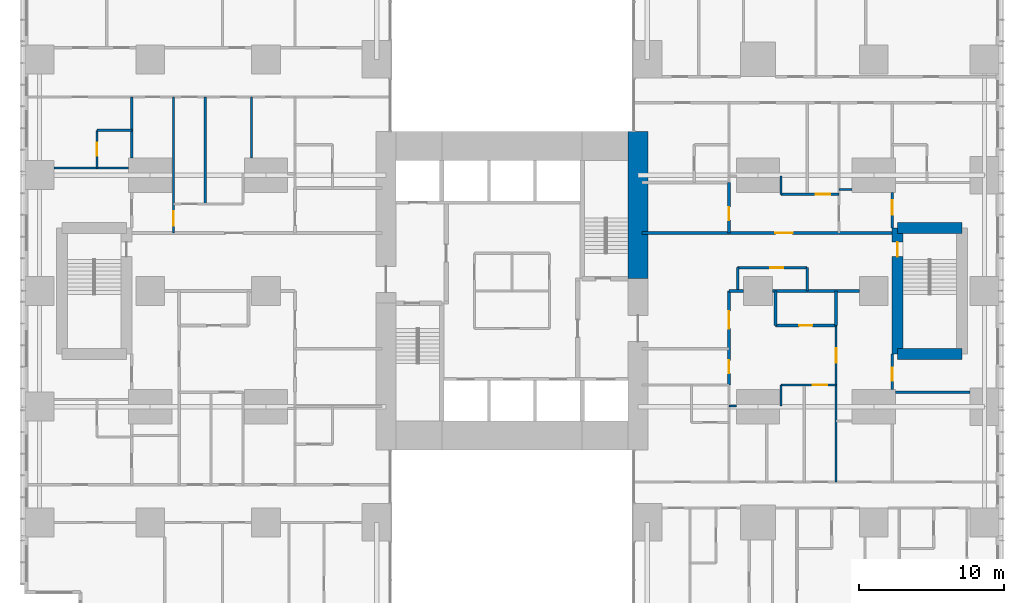
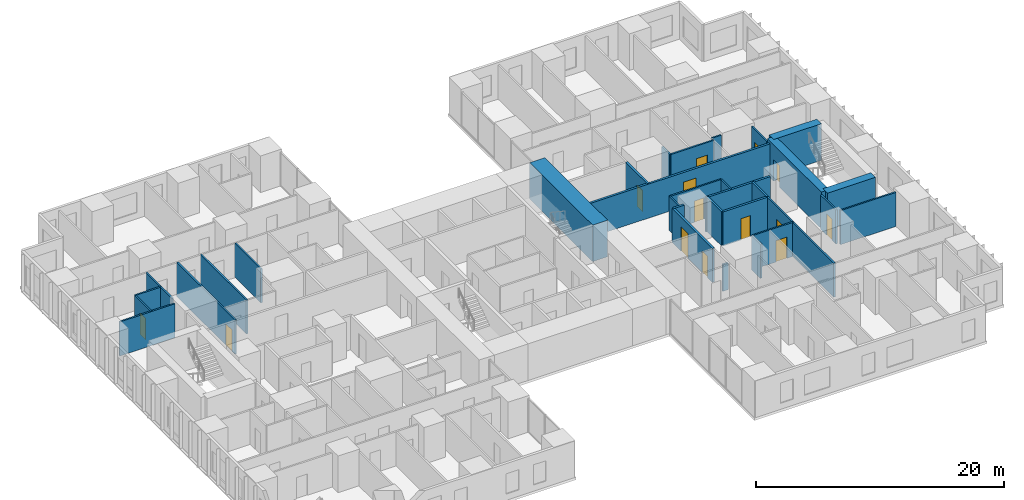
# One storey, part 16 of 20: 32 walls, 14 doors, 14 openings.
"""IFC4 building model written with IfcOpenShell, lengths in metres."""

import ifcopenshell
import ifcopenshell.guid

model = None  # the IFC model being written
_history = None  # IfcOwnerHistory: only IFC2X3 demands one
_inside = {}  # id of a spatial element -> (the spatial element, [elements in it])
_under = {}  # id of a project, library or spatial element -> (it, [spatial elements below it])
_declared = {}  # id of a project -> (the project, [libraries it declares])
_typed = {}  # id of a type object -> (the type object, [elements of that type])
_made_of = {}  # id of a material, layer set ... -> (it, [elements and type objects made of it])


def new_model(schema):
    """Start an empty IFC model of exactly this schema.

    Asked for "IFC4X3", IfcOpenShell would pick the latest addendum, in which some entities
    have other attributes; the version numbers below select the first issue.
    IFC2X3 requires an IfcOwnerHistory on every rooted entity: one is made here for all.
    """
    global model, _history
    if schema == "IFC4X3":
        model = ifcopenshell.file(schema_version=(4, 3, 0, 0))
    else:
        model = ifcopenshell.file(schema=schema)
    _inside.clear()
    _under.clear()
    _declared.clear()
    _typed.clear()
    _made_of.clear()
    _history = None
    if model.schema == "IFC2X3":
        org = make("IfcOrganization", Name="unknown")
        user = make(
            "IfcPersonAndOrganization",
            ThePerson=make("IfcPerson", FamilyName="unknown"),
            TheOrganization=org,
        )
        app = make(
            "IfcApplication",
            ApplicationDeveloper=org,
            Version="unknown",
            ApplicationFullName="unknown",
            ApplicationIdentifier="unknown",
        )
        _history = make(
            "IfcOwnerHistory",
            OwningUser=user,
            OwningApplication=app,
            ChangeAction="ADDED",
            CreationDate=0,
        )
    return model


def make(cls, **values):
    """One entity of the class cls with the attributes given. An attribute that is None is left unset."""
    return model.create_entity(
        cls, **{name: value for name, value in values.items() if value is not None}
    )


def rooted(cls, **values):
    """An entity with a GlobalId (a new one), such as an element, a storey or a relation."""
    return make(cls, GlobalId=ifcopenshell.guid.new(), OwnerHistory=_history, **values)


def si_unit(unit_type, name, prefix=None):
    """IfcSIUnit, for example si_unit("LENGTHUNIT", "METRE", prefix="MILLI")."""
    return make("IfcSIUnit", UnitType=unit_type, Prefix=prefix, Name=name)


def assignment(units):
    """IfcUnitAssignment: the units of a project."""
    return None if units is None else make("IfcUnitAssignment", Units=units)


def point(xyz):
    """IfcCartesianPoint."""
    return None if xyz is None else make("IfcCartesianPoint", Coordinates=xyz)


def direction(xyz):
    """IfcDirection."""
    return None if xyz is None else make("IfcDirection", DirectionRatios=xyz)


def frame(location, z_axis=None, x_axis=None):
    """IfcAxis2Placement3D, a coordinate frame: its origin and axes. An axis left out is left unset."""
    return make(
        "IfcAxis2Placement3D",
        Location=point(location),
        Axis=direction(z_axis),
        RefDirection=direction(x_axis),
    )


def frame_2d(location, x_axis=None):
    """IfcAxis2Placement2D, a coordinate frame in the plane: its origin and x axis."""
    return make(
        "IfcAxis2Placement2D", Location=point(location), RefDirection=direction(x_axis)
    )


def origin():
    """The frame at (0, 0, 0) with its axes left unset."""
    return frame((0.0, 0.0, 0.0))


def place(relative_to, where):
    """IfcLocalPlacement: puts the frame where relative to a parent placement (None: the world)."""
    return make(
        "IfcLocalPlacement", PlacementRelTo=relative_to, RelativePlacement=where
    )


def context(
    kind, dimensions, precision=None, world=None, true_north=None, identifier=None
):
    """IfcGeometricRepresentationContext, for example the 3D "Model" context."""
    return make(
        "IfcGeometricRepresentationContext",
        ContextIdentifier=identifier,
        ContextType=kind,
        CoordinateSpaceDimension=dimensions,
        Precision=precision,
        WorldCoordinateSystem=world,
        TrueNorth=true_north,
    )


def subcontext(parent, identifier, kind, view, scale=None):
    """IfcGeometricRepresentationSubContext, for example "Body" below "Model"."""
    return make(
        "IfcGeometricRepresentationSubContext",
        ContextIdentifier=identifier,
        ContextType=kind,
        ParentContext=parent,
        TargetScale=scale,
        TargetView=view,
    )


def project(units=None, contexts=None):
    """IfcProject with its units and contexts."""
    return rooted(
        "IfcProject",
        Name="project",
        RepresentationContexts=contexts,
        UnitsInContext=assignment(units),
    )


def spatial(cls, under=None, at=None, **own):
    """A site, building, storey or space (cls), placed at a placement, below another one or the project."""
    s = rooted(cls, ObjectPlacement=at, **own)
    if under is not None:
        _under.setdefault(under.id(), (under, []))[1].append(s)
    return s


def profile(cls, at=None, kind="AREA", **sizes):
    """A parametric profile (cls). Its sizes go by their IFC names, for example OverallWidth=200.0."""
    return make(cls, ProfileType=kind, Position=at, **sizes)


def rectangle(**sizes):
    """IfcRectangleProfileDef."""
    return profile("IfcRectangleProfileDef", **sizes)


def extrude(swept, where, along, depth):
    """IfcExtrudedAreaSolid: the profile swept, set in the frame where, extruded along a direction by depth."""
    return make(
        "IfcExtrudedAreaSolid",
        SweptArea=swept,
        Position=where,
        ExtrudedDirection=direction(along),
        Depth=depth,
    )


def shape(context_of_items, identifier, shape_type, items):
    """IfcShapeRepresentation: the items that make up one representation, for example the "Body"."""
    return make(
        "IfcShapeRepresentation",
        ContextOfItems=context_of_items,
        RepresentationIdentifier=identifier,
        RepresentationType=shape_type,
        Items=items,
    )


def material(Name=None, Category=None):
    """IfcMaterial."""
    return make("IfcMaterial", Name=Name, Category=Category)


def layer(
    of_material, thickness, ventilated=None, Name=None, Category=None, Priority=None
):
    """IfcMaterialLayer: one layer of a wall or slab, of a material (None: an air gap)."""
    return make(
        "IfcMaterialLayer",
        Material=of_material,
        LayerThickness=thickness,
        IsVentilated=ventilated,
        Name=Name,
        Category=Category,
        Priority=Priority,
    )


def layer_set(layers, Name=None):
    """IfcMaterialLayerSet."""
    return make("IfcMaterialLayerSet", MaterialLayers=layers, LayerSetName=Name)


def made_of(thing, what):
    """Note that an element or type object is made of a material, layer set ...; save() writes the relation."""
    if what is not None:
        _made_of.setdefault(what.id(), (what, []))[1].append(thing)
    return thing


def type_object(cls, material=None, **own):
    """A type object (cls), such as IfcWallType, which elements share."""
    return made_of(rooted(cls, **own), material)


def element(
    cls,
    number,
    at=None,
    inside=None,
    cuts=None,
    type_object=None,
    material=None,
    context=None,
    identifier="Body",
    shape_type=None,
    held_by="IfcProductDefinitionShape",
    body=None,
    shapes=None,
    **own,
):
    """One element of the class cls, such as IfcWall. Its Tag is "e" and its number.

    at: its placement. inside: the storey or other place that contains it. cuts: it is an
    opening in that element (IfcRelVoidsElement). A single representation is given by context,
    identifier, shape_type and body (its items); several are given by shapes. held_by: the class
    of the entity that holds the representations. save() writes the other relations.
    """
    e = rooted(cls, Tag="e%d" % number, ObjectPlacement=at, **own)
    if body is not None:
        shapes = [shape(context, identifier, shape_type, body)]
    if shapes is not None:
        e.Representation = make(held_by, Representations=shapes)
    if inside is not None:
        _inside.setdefault(inside.id(), (inside, []))[1].append(e)
    if cuts is not None:
        rooted(
            "IfcRelVoidsElement", RelatingBuildingElement=cuts, RelatedOpeningElement=e
        )
    if type_object is not None:
        _typed.setdefault(type_object.id(), (type_object, []))[1].append(e)
    return made_of(e, material)


def fill(opening, filler):
    """IfcRelFillsElement: the door or window that sits in an opening."""
    return rooted(
        "IfcRelFillsElement",
        RelatingOpeningElement=opening,
        RelatedBuildingElement=filler,
    )


def aggregate(whole, parts):
    """IfcRelAggregates: a whole, such as a stair, and the parts it consists of."""
    return rooted("IfcRelAggregates", RelatingObject=whole, RelatedObjects=parts)


def save(model, path):
    """Write the relations noted so far, then the file.

    IfcRelAggregates (storeys below a building ...), IfcRelContainedInSpatialStructure (elements
    in a storey), IfcRelDefinesByType, IfcRelAssociatesMaterial and IfcRelDeclares: one each for
    every whole, place, type object, material and project.
    """
    for whole, parts in _under.values():
        aggregate(whole, parts)
    for where, things in _inside.values():
        rooted(
            "IfcRelContainedInSpatialStructure",
            RelatedElements=things,
            RelatingStructure=where,
        )
    for kind, things in _typed.values():
        rooted("IfcRelDefinesByType", RelatedObjects=things, RelatingType=kind)
    for what, things in _made_of.values():
        rooted("IfcRelAssociatesMaterial", RelatedObjects=things, RelatingMaterial=what)
    for by, libraries in _declared.values():
        rooted("IfcRelDeclares", RelatingContext=by, RelatedDefinitions=libraries)
    model.write(path)


model = new_model("IFC4")

# Units and contexts
model_context = context("Model", 3, precision=1e-05, world=origin(), true_north=direction((0.0, 1.0)))
body_context = subcontext(model_context, "Body", "Model", "MODEL_VIEW")
ifc_project = project(units=[si_unit("LENGTHUNIT", "METRE"), si_unit("AREAUNIT", "SQUARE_METRE"), si_unit("VOLUMEUNIT", "CUBIC_METRE"), si_unit("PLANEANGLEUNIT", "RADIAN"), si_unit("MASSUNIT", "GRAM", prefix="KILO")], contexts=[model_context])

# Site, building, storey
site_placement = place(None, origin())
site = spatial("IfcSite", under=ifc_project, at=site_placement, CompositionType="ELEMENT")
building_placement = place(site_placement, origin())
building = spatial("IfcBuilding", under=site, at=building_placement, Name="Cleftline Residences", CompositionType="ELEMENT")
storey_placement = place(building_placement, frame((0.0, 0.0, 47.60009765625)))
storey = spatial("IfcBuildingStorey", under=building, at=storey_placement, Name="L11", CompositionType="ELEMENT", Elevation=47.60009765625)

# Wall
ifc_material_1 = material(Name="Concrete B70", Category="concrete")
ifc_layer_1 = layer(ifc_material_1, 1.39990234375)
ifc_layer_set_1 = layer_set([ifc_layer_1], Name="CORE WALL 1400")
wall_type_1 = type_object("IfcWallType", Name="CORE WALL 1400", PredefinedType="SHEAR", material=ifc_layer_set_1)
wall_1_placement = place(storey_placement, frame((41.699951171875, 24.85009765625, 0.0), z_axis=(0.0, 0.0, 1.0), x_axis=(0.0, 1.0, 0.0)))
element("IfcWall", 1, at=wall_1_placement, inside=storey, type_object=wall_type_1, Name="Core wall E1", PredefinedType="SHEAR", context=body_context, shape_type="SweptSolid", body=[
    extrude(rectangle(XDim=10.14990234375, YDim=1.39990234375, at=frame_2d((5.074951171875, 0.0))), origin(), (0.0, 0.0, 1.0), 3.599853515625),
])

# Wall, opening, door
ifc_material_2 = material(Name="Concrete blockwork, fire rated", Category="masonry")
ifc_layer_2 = layer(ifc_material_2, 0.199951171875)
ifc_layer_set_2 = layer_set([ifc_layer_2], Name="FIRE WALL 200")
wall_type_2 = type_object("IfcWallType", Name="FIRE WALL 200", PredefinedType="PARTITIONING", material=ifc_layer_set_2)
wall_2_placement = place(storey_placement, frame((51.199951171875, 21.60009765625, 0.0), z_axis=(0.0, 0.0, 1.0), x_axis=(1.0, 0.0, 0.0)))
wall_2 = element("IfcWall", 2, at=wall_2_placement, inside=storey, type_object=wall_type_2, Name="Fire separating wall", PredefinedType="PARTITIONING", context=body_context, shape_type="SweptSolid", body=[
    extrude(rectangle(XDim=4.199951171875, YDim=0.199951171875, at=frame_2d((2.10009765625, 0.0))), origin(), (0.0, 0.0, 1.0), 3.349853515625),
])
opening_1_placement = place(wall_2_placement, frame((1.64990234375, 0.0, 0.0)))
opening_1 = element("IfcOpeningElement", 3, at=opening_1_placement, cuts=wall_2, Name="Opening D1F30", PredefinedType="OPENING", context=body_context, shape_type="SweptSolid", body=[
    extrude(rectangle(XDim=0.89990234375, YDim=2.10009765625, at=frame_2d((0.449951171875, 1.050048828125))), frame((0.0, 0.10986328125, 0.0), z_axis=(0.0, -1.0, 0.0), x_axis=(1.0, 0.0, 0.0)), (0.0, 0.0, 1.0), 0.219970703125),
])
ifc_material_3 = material(Name="Timber veneer on solid core", Category="wood")
door_type_1 = type_object("IfcDoorType", Name="DOOR 900X2100 EI 30", OperationType="SINGLE_SWING_LEFT", PredefinedType="DOOR", material=ifc_material_3)
door_1_placement = place(opening_1_placement, origin())
door_1 = element("IfcDoor", 4, at=door_1_placement, inside=storey, type_object=door_type_1, Name="Door to cloakroom wc", OperationType="SINGLE_SWING_LEFT", OverallHeight=2.10009765625, OverallWidth=0.89990234375, PredefinedType="DOOR", context=body_context, shape_type="SweptSolid", body=[
    extrude(rectangle(XDim=0.89990234375, YDim=2.10009765625, at=frame_2d((0.449951171875, 1.050048828125))), frame((0.0, 0.02490234375, 0.0), z_axis=(0.0, -1.0, 0.0), x_axis=(1.0, 0.0, 0.0)), (0.0, 0.0, 1.0), 0.050048828125),
])
fill(opening_1, door_1)

# Walls
wall_3_placement = place(storey_placement, frame((48.0, 24.0, 0.0), z_axis=(0.0, 0.0, 1.0), x_axis=(1.0, 0.0, 0.0)))
element("IfcWall", 5, at=wall_3_placement, inside=storey, type_object=wall_type_2, Name="Fire separating wall", PredefinedType="PARTITIONING", context=body_context, shape_type="SweptSolid", body=[
    extrude(rectangle(XDim=1.0, YDim=0.199951171875, at=frame_2d((0.5, 0.0))), origin(), (0.0, 0.0, 1.0), 3.349853515625),
])
wall_4_placement = place(storey_placement, frame((51.0, 24.0, 0.0), z_axis=(0.0, 0.0, 1.0), x_axis=(1.0, 0.0, 0.0)))
element("IfcWall", 6, at=wall_4_placement, inside=storey, type_object=wall_type_2, Name="Fire separating wall", PredefinedType="PARTITIONING", context=body_context, shape_type="SweptSolid", body=[
    extrude(rectangle(XDim=6.0, YDim=0.199951171875, at=frame_2d((3.0, 0.0))), origin(), (0.0, 0.0, 1.0), 3.349853515625),
])

# Wall, opening, door
wall_5_placement = place(storey_placement, frame((42.0, 28.0, 0.0), z_axis=(0.0, 0.0, 1.0), x_axis=(1.0, 0.0, 0.0)))
wall_5 = element("IfcWall", 7, at=wall_5_placement, inside=storey, type_object=wall_type_2, Name="Fire separating wall", PredefinedType="PARTITIONING", context=body_context, shape_type="SweptSolid", body=[
    extrude(rectangle(XDim=17.27490234375, YDim=0.199951171875, at=frame_2d((8.637451171875, 0.0))), origin(), (0.0, 0.0, 1.0), 3.349853515625),
])
opening_2_placement = place(wall_5_placement, frame((9.199951171875, 0.0, 0.0)))
opening_2 = element("IfcOpeningElement", 8, at=opening_2_placement, cuts=wall_5, Name="Opening D4", PredefinedType="OPENING", context=body_context, shape_type="SweptSolid", body=[
    extrude(rectangle(XDim=1.199951171875, YDim=2.39990234375, at=frame_2d((0.60009765625, 1.199951171875))), frame((0.0, 0.10986328125, 0.0), z_axis=(0.0, -1.0, 0.0), x_axis=(1.0, 0.0, 0.0)), (0.0, 0.0, 1.0), 0.219970703125),
])
ifc_material_4 = material(Name="Timber veneer on solid core", Category="wood")
door_type_2 = type_object("IfcDoorType", Name="APARTMENT ENTRANCE DOOR 1200X2400", OperationType="SINGLE_SWING_RIGHT", PredefinedType="DOOR", material=ifc_material_4)
door_2_placement = place(opening_2_placement, origin())
door_2 = element("IfcDoor", 9, at=door_2_placement, inside=storey, type_object=door_type_2, Name="Door to residence entrance foyer", OperationType="SINGLE_SWING_LEFT", OverallHeight=2.39990234375, OverallWidth=1.199951171875, PredefinedType="DOOR", context=body_context, shape_type="SweptSolid", body=[
    extrude(rectangle(XDim=1.199951171875, YDim=2.39990234375, at=frame_2d((0.60009765625, 1.199951171875))), frame((0.0, 0.02490234375, 0.0), z_axis=(0.0, -1.0, 0.0), x_axis=(1.0, 0.0, 0.0)), (0.0, 0.0, 1.0), 0.050048828125),
])
fill(opening_2, door_2)

# Wall, openings, doors
wall_6_placement = place(storey_placement, frame((48.0, 17.5, 0.0), z_axis=(0.0, 0.0, 1.0), x_axis=(0.0, 1.0, 0.0)))
wall_6 = element("IfcWall", 10, at=wall_6_placement, inside=storey, type_object=wall_type_2, Name="Fire separating wall", PredefinedType="PARTITIONING", context=body_context, shape_type="SweptSolid", body=[
    extrude(rectangle(XDim=6.5, YDim=0.199951171875, at=frame_2d((3.25, 0.0))), origin(), (0.0, 0.0, 1.0), 3.349853515625),
])
opening_3_placement = place(wall_6_placement, frame((3.89990234375, 0.0, 0.0)))
opening_3 = element("IfcOpeningElement", 11, at=opening_3_placement, cuts=wall_6, Name="Opening D4", PredefinedType="OPENING", context=body_context, shape_type="SweptSolid", body=[
    extrude(rectangle(XDim=1.199951171875, YDim=2.39990234375, at=frame_2d((0.60009765625, 1.199951171875))), frame((0.0, 0.10986328125, 0.0), z_axis=(0.0, -1.0, 0.0), x_axis=(1.0, 0.0, 0.0)), (0.0, 0.0, 1.0), 0.219970703125),
])
opening_4_placement = place(wall_6_placement, frame((0.800048828125, 0.0, 0.0)))
opening_4 = element("IfcOpeningElement", 12, at=opening_4_placement, cuts=wall_6, Name="Opening D1F30", PredefinedType="OPENING", context=body_context, shape_type="SweptSolid", body=[
    extrude(rectangle(XDim=0.89990234375, YDim=2.10009765625, at=frame_2d((0.449951171875, 1.050048828125))), frame((0.0, 0.10986328125, 0.0), z_axis=(0.0, -1.0, 0.0), x_axis=(1.0, 0.0, 0.0)), (0.0, 0.0, 1.0), 0.219970703125),
])
door_3_placement = place(opening_3_placement, origin())
door_3 = element("IfcDoor", 13, at=door_3_placement, inside=storey, type_object=door_type_2, Name="Door to residence entrance foyer", OperationType="SINGLE_SWING_LEFT", OverallHeight=2.39990234375, OverallWidth=1.199951171875, PredefinedType="DOOR", context=body_context, shape_type="SweptSolid", body=[
    extrude(rectangle(XDim=1.199951171875, YDim=2.39990234375, at=frame_2d((0.60009765625, 1.199951171875))), frame((0.0, 0.02490234375, 0.0), z_axis=(0.0, -1.0, 0.0), x_axis=(1.0, 0.0, 0.0)), (0.0, 0.0, 1.0), 0.050048828125),
])
fill(opening_3, door_3)
door_4_placement = place(opening_4_placement, origin())
door_4 = element("IfcDoor", 14, at=door_4_placement, inside=storey, type_object=door_type_1, Name="Door to laundry", OperationType="SINGLE_SWING_RIGHT", OverallHeight=2.10009765625, OverallWidth=0.89990234375, PredefinedType="DOOR", context=body_context, shape_type="SweptSolid", body=[
    extrude(rectangle(XDim=0.89990234375, YDim=2.10009765625, at=frame_2d((0.449951171875, 1.050048828125))), frame((0.0, 0.02490234375, 0.0), z_axis=(0.0, -1.0, 0.0), x_axis=(1.0, 0.0, 0.0)), (0.0, 0.0, 1.0), 0.050048828125),
])
fill(opening_4, door_4)

# Wall, opening, door
wall_7_placement = place(storey_placement, frame((48.0, 28.0, 0.0), z_axis=(0.0, 0.0, 1.0), x_axis=(0.0, 1.0, 0.0)))
wall_7 = element("IfcWall", 15, at=wall_7_placement, inside=storey, type_object=wall_type_2, Name="Fire separating wall", PredefinedType="PARTITIONING", context=body_context, shape_type="SweptSolid", body=[
    extrude(rectangle(XDim=3.5, YDim=0.199951171875, at=frame_2d((1.75, 0.0))), origin(), (0.0, 0.0, 1.0), 3.349853515625),
])
opening_5_placement = place(wall_7_placement, frame((0.887451171875, 0.0, 0.0)))
opening_5 = element("IfcOpeningElement", 16, at=opening_5_placement, cuts=wall_7, Name="Opening D1F30", PredefinedType="OPENING", context=body_context, shape_type="SweptSolid", body=[
    extrude(rectangle(XDim=0.89990234375, YDim=2.10009765625, at=frame_2d((0.449951171875, 1.050048828125))), frame((0.0, 0.10986328125, 0.0), z_axis=(0.0, -1.0, 0.0), x_axis=(1.0, 0.0, 0.0)), (0.0, 0.0, 1.0), 0.219970703125),
])
door_5_placement = place(opening_5_placement, origin())
door_5 = element("IfcDoor", 17, at=door_5_placement, inside=storey, type_object=door_type_1, Name="Door to laundry and wc", OperationType="SINGLE_SWING_RIGHT", OverallHeight=2.10009765625, OverallWidth=0.89990234375, PredefinedType="DOOR", context=body_context, shape_type="SweptSolid", body=[
    extrude(rectangle(XDim=0.89990234375, YDim=2.10009765625, at=frame_2d((0.449951171875, 1.050048828125))), frame((0.0, 0.02490234375, 0.0), z_axis=(0.0, -1.0, 0.0), x_axis=(1.0, 0.0, 0.0)), (0.0, 0.0, 1.0), 0.050048828125),
])
fill(opening_5, door_5)

# Walls
for number, where, z_axis, x_axis, name in (
    (18, (51.199951171875, 21.60009765625, 0.0), (0.0, 0.0, 1.0), (0.0, 1.0, 0.0), "Fire separating wall"),
    (19, (55.39990234375, 21.60009765625, 0.0), (0.0, 0.0, 1.0), (0.0, 1.0, 0.0), "Fire separating wall"),
):
    element("IfcWall", number, at=place(storey_placement, frame(where, z_axis=z_axis, x_axis=x_axis)), inside=storey, type_object=wall_type_2, Name=name, PredefinedType="PARTITIONING", context=body_context, shape_type="SweptSolid", body=[
        extrude(rectangle(XDim=2.39990234375, YDim=0.199951171875, at=frame_2d((1.199951171875, 0.0))), origin(), (0.0, 0.0, 1.0), 3.349853515625),
    ])
ifc_material_5 = material(Name="Gypsum board on steel studs", Category="steel")
ifc_layer_3 = layer(ifc_material_5, 0.14990234375)
ifc_layer_set_3 = layer_set([ifc_layer_3], Name="PARTITION 150")
wall_type_3 = type_object("IfcWallType", Name="PARTITION 150", PredefinedType="PARTITIONING", material=ifc_layer_set_3)
wall_8_placement = place(storey_placement, frame((48.0, 16.050048828125, 0.0), z_axis=(0.0, 0.0, 1.0), x_axis=(1.0, 0.0, 0.0)))
element("IfcWall", 20, at=wall_8_placement, inside=storey, type_object=wall_type_3, Name="Partition", PredefinedType="PARTITIONING", context=body_context, shape_type="SweptSolid", body=[
    extrude(rectangle(XDim=0.5, YDim=0.14990234375, at=frame_2d((0.25, 0.0))), origin(), (0.0, 0.0, 1.0), 2.6337890625),
])
wall_9_placement = place(storey_placement, frame((59.5, 17.0, 0.0), z_axis=(0.0, 0.0, 1.0), x_axis=(1.0, 0.0, 0.0)))
element("IfcWall", 21, at=wall_9_placement, inside=storey, type_object=wall_type_3, Name="Partition", PredefinedType="PARTITIONING", context=body_context, shape_type="SweptSolid", body=[
    extrude(rectangle(XDim=5.14990234375, YDim=0.14990234375, at=frame_2d((2.574951171875, 0.0))), origin(), (0.0, 0.0, 1.0), 3.349853515625),
])

# Wall, opening, door
wall_10_placement = place(storey_placement, frame((51.60009765625, 17.5, 0.0), z_axis=(0.0, 0.0, 1.0), x_axis=(1.0, 0.0, 0.0)))
wall_10 = element("IfcWall", 22, at=wall_10_placement, inside=storey, type_object=wall_type_3, Name="Partition", PredefinedType="PARTITIONING", context=body_context, shape_type="SweptSolid", body=[
    extrude(rectangle(XDim=3.7998046875, YDim=0.14990234375, at=frame_2d((1.89990234375, 0.0))), origin(), (0.0, 0.0, 1.0), 3.349853515625),
])
opening_6_placement = place(wall_10_placement, frame((2.199951171875, 0.0, 0.0)))
opening_6 = element("IfcOpeningElement", 23, at=opening_6_placement, cuts=wall_10, Name="Opening D2", PredefinedType="OPENING", context=body_context, shape_type="SweptSolid", body=[
    extrude(rectangle(XDim=1.0, YDim=2.10009765625, at=frame_2d((0.5, 1.050048828125))), frame((0.0, 0.0849609375, 0.0), z_axis=(0.0, -1.0, 0.0), x_axis=(1.0, 0.0, 0.0)), (0.0, 0.0, 1.0), 0.169921875),
])
ifc_material_6 = material(Name="Timber veneer on solid core", Category="wood")
door_type_3 = type_object("IfcDoorType", Name="DOOR 1000X2100", OperationType="SINGLE_SWING_LEFT", PredefinedType="DOOR", material=ifc_material_6)
door_6_placement = place(opening_6_placement, origin())
door_6 = element("IfcDoor", 24, at=door_6_placement, inside=storey, type_object=door_type_3, Name="Door to residence passage", OperationType="SINGLE_SWING_LEFT", OverallHeight=2.10009765625, OverallWidth=1.0, PredefinedType="DOOR", context=body_context, shape_type="SweptSolid", body=[
    extrude(rectangle(XDim=1.0, YDim=2.10009765625, at=frame_2d((0.5, 1.050048828125))), frame((0.0, 0.02490234375, 0.0), z_axis=(0.0, -1.0, 0.0), x_axis=(1.0, 0.0, 0.0)), (0.0, 0.0, 1.0), 0.050048828125),
])
fill(opening_6, door_6)

wall_11_placement = place(storey_placement, frame((48.60009765625, 25.60009765625, 0.0), z_axis=(0.0, 0.0, 1.0), x_axis=(1.0, 0.0, 0.0)))
wall_11 = element("IfcWall", 25, at=wall_11_placement, inside=storey, type_object=wall_type_3, Name="Partition", PredefinedType="PARTITIONING", context=body_context, shape_type="SweptSolid", body=[
    extrude(rectangle(XDim=4.7998046875, YDim=0.14990234375, at=frame_2d((2.39990234375, 0.0))), origin(), (0.0, 0.0, 1.0), 3.349853515625),
])
opening_7_placement = place(wall_11_placement, frame((2.25, 0.0, 0.0)))
opening_7 = element("IfcOpeningElement", 26, at=opening_7_placement, cuts=wall_11, Name="Opening D1", PredefinedType="OPENING", context=body_context, shape_type="SweptSolid", body=[
    extrude(rectangle(XDim=0.89990234375, YDim=2.10009765625, at=frame_2d((0.449951171875, 1.050048828125))), frame((0.0, 0.0849609375, 0.0), z_axis=(0.0, -1.0, 0.0), x_axis=(1.0, 0.0, 0.0)), (0.0, 0.0, 1.0), 0.169921875),
])
ifc_material_7 = material(Name="Timber veneer on solid core", Category="wood")
door_type_4 = type_object("IfcDoorType", Name="DOOR 900X2100", OperationType="SINGLE_SWING_LEFT", PredefinedType="DOOR", material=ifc_material_7)
door_7_placement = place(opening_7_placement, origin())
door_7 = element("IfcDoor", 27, at=door_7_placement, inside=storey, type_object=door_type_4, Name="Door to bulky waste room", OperationType="SINGLE_SWING_LEFT", OverallHeight=2.10009765625, OverallWidth=0.89990234375, PredefinedType="DOOR", context=body_context, shape_type="SweptSolid", body=[
    extrude(rectangle(XDim=0.89990234375, YDim=2.10009765625, at=frame_2d((0.449951171875, 1.050048828125))), frame((0.0, 0.02490234375, 0.0), z_axis=(0.0, -1.0, 0.0), x_axis=(1.0, 0.0, 0.0)), (0.0, 0.0, 1.0), 0.050048828125),
])
fill(opening_7, door_7)

wall_12_placement = place(storey_placement, frame((51.60009765625, 30.675048828125, 0.0), z_axis=(0.0, 0.0, 1.0), x_axis=(1.0, 0.0, 0.0)))
wall_12 = element("IfcWall", 28, at=wall_12_placement, inside=storey, type_object=wall_type_3, Name="Partition", PredefinedType="PARTITIONING", context=body_context, shape_type="SweptSolid", body=[
    extrude(rectangle(XDim=4.0, YDim=0.14990234375, at=frame_2d((2.0, 0.0))), origin(), (0.0, 0.0, 1.0), 3.349853515625),
])
opening_8_placement = place(wall_12_placement, frame((2.39990234375, 0.0, 0.0)))
opening_8 = element("IfcOpeningElement", 29, at=opening_8_placement, cuts=wall_12, Name="Opening D2", PredefinedType="OPENING", context=body_context, shape_type="SweptSolid", body=[
    extrude(rectangle(XDim=1.0, YDim=2.10009765625, at=frame_2d((0.5, 1.050048828125))), frame((0.0, 0.0849609375, 0.0), z_axis=(0.0, -1.0, 0.0), x_axis=(1.0, 0.0, 0.0)), (0.0, 0.0, 1.0), 0.169921875),
])
door_8_placement = place(opening_8_placement, origin())
door_8 = element("IfcDoor", 30, at=door_8_placement, inside=storey, type_object=door_type_3, Name="Door to residence passage", OperationType="SINGLE_SWING_LEFT", OverallHeight=2.10009765625, OverallWidth=1.0, PredefinedType="DOOR", context=body_context, shape_type="SweptSolid", body=[
    extrude(rectangle(XDim=1.0, YDim=2.10009765625, at=frame_2d((0.5, 1.050048828125))), frame((0.0, 0.02490234375, 0.0), z_axis=(0.0, -1.0, 0.0), x_axis=(1.0, 0.0, 0.0)), (0.0, 0.0, 1.0), 0.050048828125),
])
fill(opening_8, door_8)

# Walls
wall_13_placement = place(storey_placement, frame((55.60009765625, 31.0, 0.0), z_axis=(0.0, 0.0, 1.0), x_axis=(1.0, 0.0, 0.0)))
element("IfcWall", 31, at=wall_13_placement, inside=storey, type_object=wall_type_3, Name="Partition", PredefinedType="PARTITIONING", context=body_context, shape_type="SweptSolid", body=[
    extrude(rectangle(XDim=0.89990234375, YDim=0.14990234375, at=frame_2d((0.449951171875, 0.0))), origin(), (0.0, 0.0, 1.0), 3.349853515625),
])
wall_14_placement = place(storey_placement, frame((1.35009765625, 32.5, 0.0), z_axis=(0.0, 0.0, 1.0), x_axis=(1.0, 0.0, 0.0)))
element("IfcWall", 32, at=wall_14_placement, inside=storey, type_object=wall_type_3, Name="Partition", PredefinedType="PARTITIONING", context=body_context, shape_type="SweptSolid", body=[
    extrude(rectangle(XDim=5.14990234375, YDim=0.14990234375, at=frame_2d((2.574951171875, 0.0))), origin(), (0.0, 0.0, 1.0), 3.349853515625),
])
wall_15_placement = place(storey_placement, frame((4.324951171875, 35.10009765625, 0.0), z_axis=(0.0, 0.0, 1.0), x_axis=(1.0, 0.0, 0.0)))
element("IfcWall", 33, at=wall_15_placement, inside=storey, type_object=wall_type_3, Name="Partition", PredefinedType="PARTITIONING", context=body_context, shape_type="SweptSolid", body=[
    extrude(rectangle(XDim=2.400146484375, YDim=0.14990234375, at=frame_2d((1.2001953125, 0.0))), origin(), (0.0, 0.0, 1.0), 3.349853515625),
])

# Wall, opening, door
wall_16_placement = place(storey_placement, frame((4.324951171875, 32.5, 0.0), z_axis=(0.0, 0.0, 1.0), x_axis=(0.0, 1.0, 0.0)))
wall_16 = element("IfcWall", 34, at=wall_16_placement, inside=storey, type_object=wall_type_3, Name="Partition", PredefinedType="PARTITIONING", context=body_context, shape_type="SweptSolid", body=[
    extrude(rectangle(XDim=2.60009765625, YDim=0.14990234375, at=frame_2d((1.300048828125, 0.0))), origin(), (0.0, 0.0, 1.0), 3.349853515625),
])
opening_9_placement = place(wall_16_placement, frame((0.85009765625, 0.0, 0.0)))
opening_9 = element("IfcOpeningElement", 35, at=opening_9_placement, cuts=wall_16, Name="Opening D1", PredefinedType="OPENING", context=body_context, shape_type="SweptSolid", body=[
    extrude(rectangle(XDim=0.89990234375, YDim=2.10009765625, at=frame_2d((0.449951171875, 1.050048828125))), frame((0.0, 0.0849609375, 0.0), z_axis=(0.0, -1.0, 0.0), x_axis=(1.0, 0.0, 0.0)), (0.0, 0.0, 1.0), 0.169921875),
])
door_9_placement = place(opening_9_placement, origin())
door_9 = element("IfcDoor", 36, at=door_9_placement, inside=storey, type_object=door_type_4, Name="Door to en-suite bathroom 2", OperationType="SINGLE_SWING_LEFT", OverallHeight=2.10009765625, OverallWidth=0.89990234375, PredefinedType="DOOR", context=body_context, shape_type="SweptSolid", body=[
    extrude(rectangle(XDim=0.89990234375, YDim=2.10009765625, at=frame_2d((0.449951171875, 1.050048828125))), frame((0.0, 0.02490234375, 0.0), z_axis=(0.0, -1.0, 0.0), x_axis=(1.0, 0.0, 0.0)), (0.0, 0.0, 1.0), 0.050048828125),
])
fill(opening_9, door_9)

# Wall
wall_17_placement = place(storey_placement, frame((6.72509765625, 33.199951171875, 0.0), z_axis=(0.0, 0.0, 1.0), x_axis=(0.0, 1.0, 0.0)))
element("IfcWall", 37, at=wall_17_placement, inside=storey, type_object=wall_type_3, Name="Partition", PredefinedType="PARTITIONING", context=body_context, shape_type="SweptSolid", body=[
    extrude(rectangle(XDim=4.199951171875, YDim=0.14990234375, at=frame_2d((2.10009765625, 0.0))), origin(), (0.0, 0.0, 1.0), 3.349853515625),
])

# Wall, opening, door
wall_18_placement = place(storey_placement, frame((9.60009765625, 28.0, 0.0), z_axis=(0.0, 0.0, 1.0), x_axis=(0.0, 1.0, 0.0)))
wall_18 = element("IfcWall", 38, at=wall_18_placement, inside=storey, type_object=wall_type_3, Name="Partition", PredefinedType="PARTITIONING", context=body_context, shape_type="SweptSolid", body=[
    extrude(rectangle(XDim=9.39990234375, YDim=0.14990234375, at=frame_2d((4.699951171875, 0.0))), origin(), (0.0, 0.0, 1.0), 3.349853515625),
])
opening_10_placement = place(wall_18_placement, frame((0.5, 0.0, 0.0)))
opening_10 = element("IfcOpeningElement", 39, at=opening_10_placement, cuts=wall_18, Name="Opening D2F30", PredefinedType="OPENING", context=body_context, shape_type="SweptSolid", body=[
    extrude(rectangle(XDim=1.0, YDim=2.10009765625, at=frame_2d((0.5, 1.050048828125))), frame((0.0, 0.0849609375, 0.0), z_axis=(0.0, -1.0, 0.0), x_axis=(1.0, 0.0, 0.0)), (0.0, 0.0, 1.0), 0.169921875),
])
ifc_material_8 = material(Name="Timber veneer on solid core", Category="wood")
door_type_5 = type_object("IfcDoorType", Name="DOOR 1000X2100 EI 30", OperationType="SINGLE_SWING_LEFT", PredefinedType="DOOR", material=ifc_material_8)
door_10_placement = place(opening_10_placement, origin())
door_10 = element("IfcDoor", 40, at=door_10_placement, inside=storey, type_object=door_type_5, Name="Door to residence lobby (service)", OperationType="SINGLE_SWING_RIGHT", OverallHeight=2.10009765625, OverallWidth=1.0, PredefinedType="DOOR", context=body_context, shape_type="SweptSolid", body=[
    extrude(rectangle(XDim=1.0, YDim=2.10009765625, at=frame_2d((0.5, 1.050048828125))), frame((0.0, 0.02490234375, 0.0), z_axis=(0.0, -1.0, 0.0), x_axis=(1.0, 0.0, 0.0)), (0.0, 0.0, 1.0), 0.050048828125),
])
fill(opening_10, door_10)

# Walls
wall_19_placement = place(storey_placement, frame((11.800048828125, 30.0, 0.0), z_axis=(0.0, 0.0, 1.0), x_axis=(0.0, 1.0, 0.0)))
element("IfcWall", 41, at=wall_19_placement, inside=storey, type_object=wall_type_3, Name="Partition", PredefinedType="PARTITIONING", context=body_context, shape_type="SweptSolid", body=[
    extrude(rectangle(XDim=7.39990234375, YDim=0.14990234375, at=frame_2d((3.699951171875, 0.0))), origin(), (0.0, 0.0, 1.0), 3.349853515625),
])
wall_20_placement = place(storey_placement, frame((15.0, 33.199951171875, 0.0), z_axis=(0.0, 0.0, 1.0), x_axis=(0.0, 1.0, 0.0)))
element("IfcWall", 42, at=wall_20_placement, inside=storey, type_object=wall_type_3, Name="Partition", PredefinedType="PARTITIONING", context=body_context, shape_type="SweptSolid", body=[
    extrude(rectangle(XDim=4.199951171875, YDim=0.14990234375, at=frame_2d((2.10009765625, 0.0))), origin(), (0.0, 0.0, 1.0), 3.349853515625),
])
wall_21_placement = place(storey_placement, frame((48.60009765625, 24.0, 0.0), z_axis=(0.0, 0.0, 1.0), x_axis=(0.0, 1.0, 0.0)))
element("IfcWall", 43, at=wall_21_placement, inside=storey, type_object=wall_type_3, Name="Partition", PredefinedType="PARTITIONING", context=body_context, shape_type="SweptSolid", body=[
    extrude(rectangle(XDim=1.60009765625, YDim=0.14990234375, at=frame_2d((0.800048828125, 0.0))), origin(), (0.0, 0.0, 1.0), 3.349853515625),
])
wall_22_placement = place(storey_placement, frame((51.60009765625, 16.050048828125, 0.0), z_axis=(0.0, 0.0, 1.0), x_axis=(0.0, 1.0, 0.0)))
element("IfcWall", 44, at=wall_22_placement, inside=storey, type_object=wall_type_3, Name="Partition", PredefinedType="PARTITIONING", context=body_context, shape_type="SweptSolid", body=[
    extrude(rectangle(XDim=1.449951171875, YDim=0.14990234375, at=frame_2d((0.72509765625, 0.0))), origin(), (0.0, 0.0, 1.0), 3.349853515625),
])
wall_23_placement = place(storey_placement, frame((51.60009765625, 30.675048828125, 0.0), z_axis=(0.0, 0.0, 1.0), x_axis=(0.0, 1.0, 0.0)))
element("IfcWall", 45, at=wall_23_placement, inside=storey, type_object=wall_type_3, Name="Partition", PredefinedType="PARTITIONING", context=body_context, shape_type="SweptSolid", body=[
    extrude(rectangle(XDim=1.27490234375, YDim=0.14990234375, at=frame_2d((0.637451171875, 0.0))), origin(), (0.0, 0.0, 1.0), 3.349853515625),
])
wall_24_placement = place(storey_placement, frame((53.39990234375, 24.0, 0.0), z_axis=(0.0, 0.0, 1.0), x_axis=(0.0, 1.0, 0.0)))
element("IfcWall", 46, at=wall_24_placement, inside=storey, type_object=wall_type_3, Name="Partition", PredefinedType="PARTITIONING", context=body_context, shape_type="SweptSolid", body=[
    extrude(rectangle(XDim=1.60009765625, YDim=0.14990234375, at=frame_2d((0.800048828125, 0.0))), origin(), (0.0, 0.0, 1.0), 3.349853515625),
])

# Wall, opening, door
wall_25_placement = place(storey_placement, frame((55.39990234375, 10.800048828125, 0.0), z_axis=(0.0, 0.0, 1.0), x_axis=(0.0, 1.0, 0.0)))
wall_25 = element("IfcWall", 47, at=wall_25_placement, inside=storey, type_object=wall_type_3, Name="Partition", PredefinedType="PARTITIONING", context=body_context, shape_type="SweptSolid", body=[
    extrude(rectangle(XDim=10.800048828125, YDim=0.14990234375, at=frame_2d((5.39990234375, 0.0))), origin(), (0.0, 0.0, 1.0), 3.349853515625),
])
opening_11_placement = place(wall_25_placement, frame((8.25, 0.0, 0.0)))
opening_11 = element("IfcOpeningElement", 48, at=opening_11_placement, cuts=wall_25, Name="Opening D2F30", PredefinedType="OPENING", context=body_context, shape_type="SweptSolid", body=[
    extrude(rectangle(XDim=1.0, YDim=2.10009765625, at=frame_2d((0.5, 1.050048828125))), frame((0.0, 0.0849609375, 0.0), z_axis=(0.0, -1.0, 0.0), x_axis=(1.0, 0.0, 0.0)), (0.0, 0.0, 1.0), 0.169921875),
])
door_11_placement = place(opening_11_placement, origin())
door_11 = element("IfcDoor", 49, at=door_11_placement, inside=storey, type_object=door_type_5, Name="Door to residence lobby (service)", OperationType="SINGLE_SWING_LEFT", OverallHeight=2.10009765625, OverallWidth=1.0, PredefinedType="DOOR", context=body_context, shape_type="SweptSolid", body=[
    extrude(rectangle(XDim=1.0, YDim=2.10009765625, at=frame_2d((0.5, 1.050048828125))), frame((0.0, 0.02490234375, 0.0), z_axis=(0.0, -1.0, 0.0), x_axis=(1.0, 0.0, 0.0)), (0.0, 0.0, 1.0), 0.050048828125),
])
fill(opening_11, door_11)

wall_26_placement = place(storey_placement, frame((59.27490234375, 17.199951171875, 0.0), z_axis=(0.0, 0.0, 1.0), x_axis=(0.0, 1.0, 0.0)))
wall_26 = element("IfcWall", 50, at=wall_26_placement, inside=storey, type_object=wall_type_3, Name="Partition", PredefinedType="PARTITIONING", context=body_context, shape_type="SweptSolid", body=[
    extrude(rectangle(XDim=2.449951171875, YDim=0.14990234375, at=frame_2d((1.22509765625, 0.0))), origin(), (0.0, 0.0, 1.0), 3.349853515625),
])
opening_12_placement = place(wall_26_placement, frame((0.58740234375, 0.0, 0.0)))
opening_12 = element("IfcOpeningElement", 51, at=opening_12_placement, cuts=wall_26, Name="Opening D1", PredefinedType="OPENING", context=body_context, shape_type="SweptSolid", body=[
    extrude(rectangle(XDim=0.89990234375, YDim=2.10009765625, at=frame_2d((0.449951171875, 1.050048828125))), frame((0.0, 0.0849609375, 0.0), z_axis=(0.0, -1.0, 0.0), x_axis=(1.0, 0.0, 0.0)), (0.0, 0.0, 1.0), 0.169921875),
])
door_12_placement = place(opening_12_placement, origin())
door_12 = element("IfcDoor", 52, at=door_12_placement, inside=storey, type_object=door_type_4, Name="Door to drying loggia", OperationType="SINGLE_SWING_RIGHT", OverallHeight=2.10009765625, OverallWidth=0.89990234375, PredefinedType="DOOR", context=body_context, shape_type="SweptSolid", body=[
    extrude(rectangle(XDim=0.89990234375, YDim=2.10009765625, at=frame_2d((0.449951171875, 1.050048828125))), frame((0.0, 0.02490234375, 0.0), z_axis=(0.0, -1.0, 0.0), x_axis=(1.0, 0.0, 0.0)), (0.0, 0.0, 1.0), 0.050048828125),
])
fill(opening_12, door_12)

wall_27_placement = place(storey_placement, frame((59.27490234375, 28.35009765625, 0.0), z_axis=(0.0, 0.0, 1.0), x_axis=(0.0, 1.0, 0.0)))
wall_27 = element("IfcWall", 53, at=wall_27_placement, inside=storey, type_object=wall_type_3, Name="Partition", PredefinedType="PARTITIONING", context=body_context, shape_type="SweptSolid", body=[
    extrude(rectangle(XDim=2.449951171875, YDim=0.14990234375, at=frame_2d((1.22509765625, 0.0))), origin(), (0.0, 0.0, 1.0), 3.349853515625),
])
opening_13_placement = place(wall_27_placement, frame((0.91259765625, 0.0, 0.0)))
opening_13 = element("IfcOpeningElement", 54, at=opening_13_placement, cuts=wall_27, Name="Opening D2", PredefinedType="OPENING", context=body_context, shape_type="SweptSolid", body=[
    extrude(rectangle(XDim=1.0, YDim=2.10009765625, at=frame_2d((0.5, 1.050048828125))), frame((0.0, 0.0849609375, 0.0), z_axis=(0.0, -1.0, 0.0), x_axis=(1.0, 0.0, 0.0)), (0.0, 0.0, 1.0), 0.169921875),
])
door_13_placement = place(opening_13_placement, origin())
door_13 = element("IfcDoor", 55, at=door_13_placement, inside=storey, type_object=door_type_3, Name="Door to winter garden", OperationType="SINGLE_SWING_LEFT", OverallHeight=2.10009765625, OverallWidth=1.0, PredefinedType="DOOR", context=body_context, shape_type="SweptSolid", body=[
    extrude(rectangle(XDim=1.0, YDim=2.10009765625, at=frame_2d((0.5, 1.050048828125))), frame((0.0, 0.02490234375, 0.0), z_axis=(0.0, -1.0, 0.0), x_axis=(1.0, 0.0, 0.0)), (0.0, 0.0, 1.0), 0.050048828125),
])
fill(opening_13, door_13)

# Walls
ifc_material_9 = material(Name="Concrete B70", Category="concrete")
ifc_layer_4 = layer(ifc_material_9, 0.75)
ifc_layer_set_4 = layer_set([ifc_layer_4], Name="SHEAR WALL 750")
wall_type_4 = type_object("IfcWallType", Name="SHEAR WALL 750", PredefinedType="SHEAR", material=ifc_layer_set_4)
for number, where, z_axis, x_axis, name in (
    (56, (59.64990234375, 19.64990234375, 0.0), (0.0, 0.0, 1.0), (1.0, 0.0, 0.0), "Wing shear wall"),
    (57, (64.10009765625, 28.35009765625, 0.0), (0.0, 0.0, 1.0), (-1.0, 0.0, 0.0), "Wing shear wall"),
):
    element("IfcWall", number, at=place(storey_placement, frame(where, z_axis=z_axis, x_axis=x_axis)), inside=storey, type_object=wall_type_4, Name=name, PredefinedType="SHEAR", context=body_context, shape_type="SweptSolid", body=[
        extrude(rectangle(XDim=4.4501953125, YDim=0.75, at=frame_2d((2.22509765625, 0.0))), origin(), (0.0, 0.0, 1.0), 3.599853515625),
    ])

# Wall, opening, door
wall_28_placement = place(storey_placement, frame((59.64990234375, 28.35009765625, 0.0), z_axis=(0.0, 0.0, 1.0), x_axis=(0.0, -1.0, 0.0)))
wall_28 = element("IfcWall", 58, at=wall_28_placement, inside=storey, type_object=wall_type_4, Name="Wing shear wall", PredefinedType="SHEAR", context=body_context, shape_type="SweptSolid", body=[
    extrude(rectangle(XDim=8.7001953125, YDim=0.75, at=frame_2d((4.35009765625, 0.0))), origin(), (0.0, 0.0, 1.0), 3.599853515625),
])
opening_14_placement = place(wall_28_placement, frame((0.97509765625, 0.0, 0.0)))
opening_14 = element("IfcOpeningElement", 59, at=opening_14_placement, cuts=wall_28, Name="Opening D5", PredefinedType="OPENING", context=body_context, shape_type="SweptSolid", body=[
    extrude(rectangle(XDim=1.0, YDim=2.10009765625, at=frame_2d((0.5, 1.050048828125))), frame((0.0, 0.385009765625, 0.0), z_axis=(0.0, -1.0, 0.0), x_axis=(1.0, 0.0, 0.0)), (0.0, 0.0, 1.0), 0.77001953125),
])
ifc_material_10 = material(Name="Steel", Category="steel")
door_type_6 = type_object("IfcDoorType", Name="STAIR DOOR 1000X2100", OperationType="SINGLE_SWING_LEFT", PredefinedType="DOOR", material=ifc_material_10)
door_14_placement = place(opening_14_placement, origin())
door_14 = element("IfcDoor", 60, at=door_14_placement, inside=storey, type_object=door_type_6, Name="Stair E door", OperationType="SINGLE_SWING_RIGHT", OverallHeight=2.10009765625, OverallWidth=1.0, PredefinedType="DOOR", context=body_context, shape_type="SweptSolid", body=[
    extrude(rectangle(XDim=1.0, YDim=2.10009765625, at=frame_2d((0.5, 1.050048828125))), frame((0.0, 0.02490234375, 0.0), z_axis=(0.0, -1.0, 0.0), x_axis=(1.0, 0.0, 0.0)), (0.0, 0.0, 1.0), 0.050048828125),
])
fill(opening_14, door_14)

save(model, "model.ifc")
